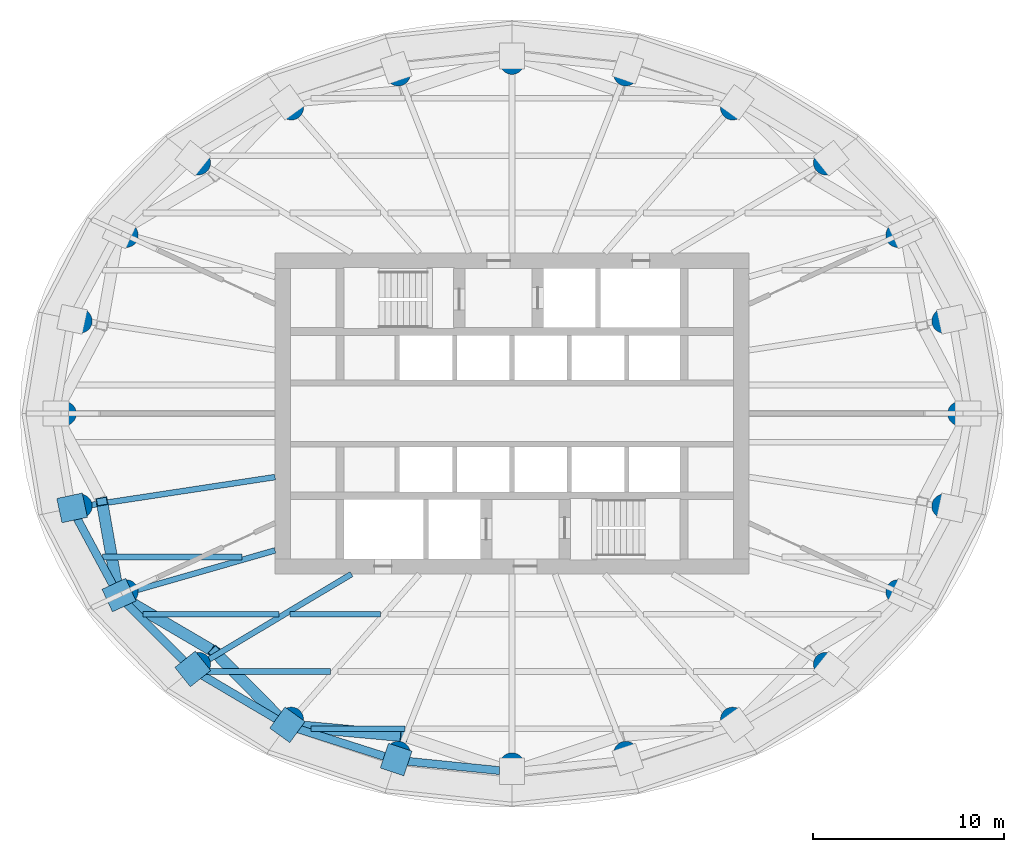
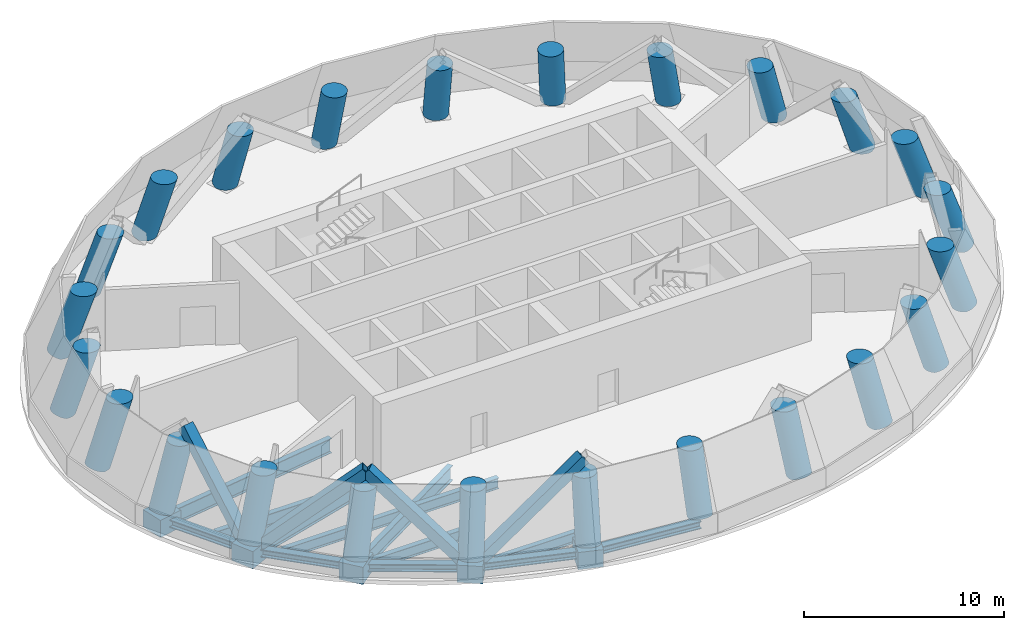
# One storey, part 1 of 7: 24 columns, 18 beams, 4 members.
"""IFC4 building model written with IfcOpenShell, lengths in metres."""

from ifc_helpers import new_model, si_unit, direction, frame, origin, origin_2d, place, context, subcontext, project, spatial, rectangle, hollow_rectangle, circle, i_section, extrude, clip, halfspace, material, material_profile, profile_set, type_object, element, save


model = new_model("IFC4")

# Units and contexts
model_context = context("Model", 3, precision=1e-05, world=origin(), true_north=direction((0.0, 1.0)))
body_context = subcontext(model_context, "Body", "Model", "MODEL_VIEW")
ifc_project = project(units=[si_unit("LENGTHUNIT", "METRE"), si_unit("AREAUNIT", "SQUARE_METRE"), si_unit("VOLUMEUNIT", "CUBIC_METRE"), si_unit("PLANEANGLEUNIT", "RADIAN"), si_unit("MASSUNIT", "GRAM", prefix="KILO")], contexts=[model_context])

# Site, building, storey
site_placement = place(None, origin())
site = spatial("IfcSite", under=ifc_project, at=site_placement, CompositionType="ELEMENT")
building_placement = place(site_placement, origin())
building = spatial("IfcBuilding", under=site, at=building_placement, Name="Hankou Lantern Tower", CompositionType="ELEMENT")
storey_placement = place(building_placement, frame((0.0, 0.0, 138.60009765625)))
storey = spatial("IfcBuildingStorey", under=building, at=storey_placement, Name="L36", CompositionType="ELEMENT", Elevation=138.60009765625)

# Columns
ifc_material_1 = material(Name="Concrete C60", Category="concrete")
ifc_material_profile_1 = material_profile(ifc_material_1, circle(Radius=0.64990234375, at=origin_2d()), Name="RC D1300")
ifc_profile_set_1 = profile_set([ifc_material_profile_1], Name="Concrete C60")
column_type = type_object("IfcColumnType", Name="TC3 PERIMETER COLUMN RC D1300", PredefinedType="COLUMN", material=ifc_profile_set_1)
column_1_placement = place(storey_placement, frame((23.89990234375, 0.0, 0.0), z_axis=(-0.325074391147, 0.0, 0.945688447757), x_axis=(0.0, -1.0, 0.0)))
element("IfcColumn", 1, at=column_1_placement, inside=storey, type_object=column_type, Name="Column R01 L36", PredefinedType="COLUMN", context=body_context, shape_type="Clipping", body=[
    clip(clip(extrude(circle(Radius=0.64990234375, at=origin_2d()), origin(), (0.0, 0.0, 1.0), 5.075439453125), halfspace(frame((0.0, 0.0, 0.0), z_axis=(0.0, -0.325074391147, -0.945688447757), x_axis=(0.0, 0.945688447757, -0.325074391147)), False)), halfspace(frame((0.0, 0.0, 3.96533203125), z_axis=(0.0, 0.325074391147, 0.945688447757), x_axis=(0.0, 0.945688447757, -0.325074391147)), False)),
])
column_2_placement = place(storey_placement, frame((23.054931640625, 4.942138671875, 0.0), z_axis=(-0.314151321262, -0.067338783674, 0.946981750385), x_axis=(0.209590519643, -0.977789248292, 0.0)))
element("IfcColumn", 2, at=column_2_placement, inside=storey, type_object=column_type, Name="Column R02 L36", PredefinedType="COLUMN", context=body_context, shape_type="Clipping", body=[
    clip(clip(extrude(circle(Radius=0.64990234375, at=origin_2d()), origin(), (0.0, 0.0, 1.0), 5.068603515625), halfspace(frame((0.0, 0.0, 0.0), z_axis=(0.0, -0.321287354929, -0.946981750385), x_axis=(0.209590519643, 0.925948573855, -0.314151321262)), False)), halfspace(frame((0.0, 0.0, 3.9599609375), z_axis=(0.0, 0.321287354929, 0.946981750385), x_axis=(0.209590519643, 0.925948573855, -0.314151321262)), False)),
])
column_3_placement = place(storey_placement, frame((20.595703125, 9.5126953125, 0.0), z_axis=(-0.281928309143, -0.130206300209, 0.950559176427), x_axis=(0.419285250459, -0.907854547132, 0.0)))
element("IfcColumn", 3, at=column_3_placement, inside=storey, type_object=column_type, Name="Column R03 L36", PredefinedType="COLUMN", context=body_context, shape_type="Clipping", body=[
    clip(clip(extrude(circle(Radius=0.64990234375, at=origin_2d()), origin(), (0.0, 0.0, 1.0), 5.049560546875), halfspace(frame((0.0, 0.0, 0.0), z_axis=(0.0, -0.310543478615, -0.950559176427), x_axis=(0.419285250459, 0.862969470637, -0.281928309143)), False)), halfspace(frame((0.0, 0.0, 3.94482421875), z_axis=(0.0, 0.310543478615, 0.950559176427), x_axis=(0.419285250459, 0.862969470637, -0.281928309143)), False)),
])
column_4_placement = place(storey_placement, frame((16.73388671875, 13.38720703125, 0.0), z_axis=(-0.230455918779, -0.184384174578, 0.955454104426), x_axis=(0.624735208679, -0.78083667885, 0.0)))
element("IfcColumn", 4, at=column_4_placement, inside=storey, type_object=column_type, Name="Column R04 L36", PredefinedType="COLUMN", context=body_context, shape_type="Clipping", body=[
    clip(clip(extrude(circle(Radius=0.64990234375, at=origin_2d()), origin(), (0.0, 0.0, 1.0), 5.023681640625), halfspace(frame((0.0, 0.0, 0.0), z_axis=(0.0, -0.295139720022, -0.955454104426), x_axis=(0.624735208679, 0.746053609694, -0.230455918779)), False)), halfspace(frame((0.0, 0.0, 3.9248046875), z_axis=(0.0, 0.295139720022, 0.955454104426), x_axis=(0.624735208679, 0.746053609694, -0.230455918779)), False)),
])
column_5_placement = place(storey_placement, frame((11.775390625, 16.31640625, 0.0), z_axis=(-0.163197981959, -0.226112977698, 0.960332931853), x_axis=(0.810859333852, -0.58524109622, 0.0)))
element("IfcColumn", 5, at=column_5_placement, inside=storey, type_object=column_type, Name="Column R05 L36", PredefinedType="COLUMN", context=body_context, shape_type="Clipping", body=[
    clip(clip(extrude(circle(Radius=0.64990234375, at=origin_2d()), origin(), (0.0, 0.0, 1.0), 4.998046875), halfspace(frame((0.0, 0.0, 0.0), z_axis=(0.0, -0.278855984334, -0.960332931853), x_axis=(0.810859333852, 0.562026297773, -0.163197981959)), False)), halfspace(frame((0.0, 0.0, 3.90478515625), z_axis=(0.0, 0.278855984334, 0.960332931853), x_axis=(0.810859333852, 0.562026297773, -0.163197981959)), False)),
])
column_6_placement = place(storey_placement, frame((6.073974609375, 18.134521484375, 0.0), z_axis=(-0.084574735018, -0.252449455425, 0.963906835048), x_axis=(0.948203413029, -0.317663796363, 0.0)))
element("IfcColumn", 6, at=column_6_placement, inside=storey, type_object=column_type, Name="Column R06 L36", PredefinedType="COLUMN", context=body_context, shape_type="Clipping", body=[
    clip(clip(extrude(circle(Radius=0.64990234375, at=origin_2d()), origin(), (0.0, 0.0, 1.0), 4.9794921875), halfspace(frame((0.0, 0.0, 0.0), z_axis=(0.0, -0.266239766654, -0.963906835048), x_axis=(0.948203413029, 0.306198304562, -0.084574735018)), False)), halfspace(frame((0.0, 0.0, 3.890380859375), z_axis=(0.0, 0.266239766654, 0.963906835048), x_axis=(0.948203413029, 0.306198304562, -0.084574735018)), False)),
])
column_7_placement = place(storey_placement, frame((0.0, 18.75, 0.0), z_axis=(0.0, -0.261434534254, 0.965221210034), x_axis=(1.0, 0.0, 0.0)))
element("IfcColumn", 7, at=column_7_placement, inside=storey, type_object=column_type, Name="Column R07 L36", PredefinedType="COLUMN", context=body_context, shape_type="Clipping", body=[
    clip(clip(extrude(circle(Radius=0.64990234375, at=origin_2d()), origin(), (0.0, 0.0, 1.0), 4.97265625), halfspace(frame((0.0, 0.0, 0.0), z_axis=(0.0, -0.261434534254, -0.965221210034), x_axis=(1.0, 0.0, 0.0)), False)), halfspace(frame((0.0, 0.0, 3.885009765625), z_axis=(0.0, 0.261434534254, 0.965221210034), x_axis=(1.0, 0.0, 0.0)), False)),
])
column_8_placement = place(storey_placement, frame((-6.073974609375, 18.134521484375, 0.0), z_axis=(0.084574735018, -0.252449455425, 0.963906835048), x_axis=(0.948203413029, 0.317663796363, 0.0)))
element("IfcColumn", 8, at=column_8_placement, inside=storey, type_object=column_type, Name="Column R08 L36", PredefinedType="COLUMN", context=body_context, shape_type="Clipping", body=[
    clip(clip(extrude(circle(Radius=0.64990234375, at=origin_2d()), origin(), (0.0, 0.0, 1.0), 4.9794921875), halfspace(frame((0.0, 0.0, 0.0), z_axis=(0.0, -0.266239766654, -0.963906835048), x_axis=(0.948203413029, -0.306198304562, 0.084574735018)), False)), halfspace(frame((0.0, 0.0, 3.890380859375), z_axis=(0.0, 0.266239766654, 0.963906835048), x_axis=(0.948203413029, -0.306198304562, 0.084574735018)), False)),
])
column_9_placement = place(storey_placement, frame((-11.775390625, 16.31640625, 0.0), z_axis=(0.163197981959, -0.226112977698, 0.960332931853), x_axis=(0.810859333852, 0.58524109622, 0.0)))
element("IfcColumn", 9, at=column_9_placement, inside=storey, type_object=column_type, Name="Column R09 L36", PredefinedType="COLUMN", context=body_context, shape_type="Clipping", body=[
    clip(clip(extrude(circle(Radius=0.64990234375, at=origin_2d()), origin(), (0.0, 0.0, 1.0), 4.998046875), halfspace(frame((0.0, 0.0, 0.0), z_axis=(0.0, -0.278855984334, -0.960332931853), x_axis=(0.810859333852, -0.562026297773, 0.163197981959)), False)), halfspace(frame((0.0, 0.0, 3.90478515625), z_axis=(0.0, 0.278855984334, 0.960332931853), x_axis=(0.810859333852, -0.562026297773, 0.163197981959)), False)),
])
column_10_placement = place(storey_placement, frame((-16.73388671875, 13.38720703125, 0.0), z_axis=(0.230455918779, -0.184384174578, 0.955454104426), x_axis=(0.624735208679, 0.78083667885, 0.0)))
element("IfcColumn", 10, at=column_10_placement, inside=storey, type_object=column_type, Name="Column R10 L36", PredefinedType="COLUMN", context=body_context, shape_type="Clipping", body=[
    clip(clip(extrude(circle(Radius=0.64990234375, at=origin_2d()), origin(), (0.0, 0.0, 1.0), 5.023681640625), halfspace(frame((0.0, 0.0, 0.0), z_axis=(0.0, -0.295139720022, -0.955454104426), x_axis=(0.624735208679, -0.746053609694, 0.230455918779)), False)), halfspace(frame((0.0, 0.0, 3.9248046875), z_axis=(0.0, 0.295139720022, 0.955454104426), x_axis=(0.624735208679, -0.746053609694, 0.230455918779)), False)),
])
column_11_placement = place(storey_placement, frame((-20.595703125, 9.5126953125, 0.0), z_axis=(0.281928309143, -0.130206300209, 0.950559176427), x_axis=(0.419285250459, 0.907854547132, 0.0)))
element("IfcColumn", 11, at=column_11_placement, inside=storey, type_object=column_type, Name="Column R11 L36", PredefinedType="COLUMN", context=body_context, shape_type="Clipping", body=[
    clip(clip(extrude(circle(Radius=0.64990234375, at=origin_2d()), origin(), (0.0, 0.0, 1.0), 5.049560546875), halfspace(frame((0.0, 0.0, 0.0), z_axis=(0.0, -0.310543478615, -0.950559176427), x_axis=(0.419285250459, -0.862969470637, 0.281928309143)), False)), halfspace(frame((0.0, 0.0, 3.94482421875), z_axis=(0.0, 0.310543478615, 0.950559176427), x_axis=(0.419285250459, -0.862969470637, 0.281928309143)), False)),
])
column_12_placement = place(storey_placement, frame((-23.054931640625, 4.942138671875, 0.0), z_axis=(0.314151321262, -0.067338783674, 0.946981750385), x_axis=(0.209590519643, 0.977789248292, 0.0)))
element("IfcColumn", 12, at=column_12_placement, inside=storey, type_object=column_type, Name="Column R12 L36", PredefinedType="COLUMN", context=body_context, shape_type="Clipping", body=[
    clip(clip(extrude(circle(Radius=0.64990234375, at=origin_2d()), origin(), (0.0, 0.0, 1.0), 5.068603515625), halfspace(frame((0.0, 0.0, 0.0), z_axis=(0.0, -0.321287354929, -0.946981750385), x_axis=(0.209590519643, -0.925948573855, 0.314151321262)), False)), halfspace(frame((0.0, 0.0, 3.9599609375), z_axis=(0.0, 0.321287354929, 0.946981750385), x_axis=(0.209590519643, -0.925948573855, 0.314151321262)), False)),
])
column_13_placement = place(storey_placement, frame((-23.89990234375, 0.0, 0.0), z_axis=(0.325074391147, 0.0, 0.945688447757), x_axis=(0.0, 1.0, 0.0)))
element("IfcColumn", 13, at=column_13_placement, inside=storey, type_object=column_type, Name="Column R13 L36", PredefinedType="COLUMN", context=body_context, shape_type="Clipping", body=[
    clip(clip(extrude(circle(Radius=0.64990234375, at=origin_2d()), origin(), (0.0, 0.0, 1.0), 5.075439453125), halfspace(frame((0.0, 0.0, 0.0), z_axis=(0.0, -0.325074391147, -0.945688447757), x_axis=(0.0, -0.945688447757, 0.325074391147)), False)), halfspace(frame((0.0, 0.0, 3.96533203125), z_axis=(0.0, 0.325074391147, 0.945688447757), x_axis=(0.0, -0.945688447757, 0.325074391147)), False)),
])
column_14_placement = place(storey_placement, frame((-23.054931640625, -4.942138671875, 0.0), z_axis=(0.314151321262, 0.067338783674, 0.946981750385), x_axis=(-0.209590519643, 0.977789248292, 0.0)))
element("IfcColumn", 14, at=column_14_placement, inside=storey, type_object=column_type, Name="Column R14 L36", PredefinedType="COLUMN", context=body_context, shape_type="Clipping", body=[
    clip(clip(extrude(circle(Radius=0.64990234375, at=origin_2d()), origin(), (0.0, 0.0, 1.0), 5.068603515625), halfspace(frame((0.0, 0.0, 0.0), z_axis=(0.0, -0.321287354929, -0.946981750385), x_axis=(-0.209590519643, -0.925948573855, 0.314151321262)), False)), halfspace(frame((0.0, 0.0, 3.9599609375), z_axis=(0.0, 0.321287354929, 0.946981750385), x_axis=(-0.209590519643, -0.925948573855, 0.314151321262)), False)),
])
column_15_placement = place(storey_placement, frame((-20.595703125, -9.5126953125, 0.0), z_axis=(0.281928309143, 0.130206300209, 0.950559176427), x_axis=(-0.419285250459, 0.907854547132, 0.0)))
element("IfcColumn", 15, at=column_15_placement, inside=storey, type_object=column_type, Name="Column R15 L36", PredefinedType="COLUMN", context=body_context, shape_type="Clipping", body=[
    clip(clip(extrude(circle(Radius=0.64990234375, at=origin_2d()), origin(), (0.0, 0.0, 1.0), 5.049560546875), halfspace(frame((0.0, 0.0, 0.0), z_axis=(0.0, -0.310543478615, -0.950559176427), x_axis=(-0.419285250459, -0.862969470637, 0.281928309143)), False)), halfspace(frame((0.0, 0.0, 3.94482421875), z_axis=(0.0, 0.310543478615, 0.950559176427), x_axis=(-0.419285250459, -0.862969470637, 0.281928309143)), False)),
])
column_16_placement = place(storey_placement, frame((-16.73388671875, -13.38720703125, 0.0), z_axis=(0.230455918779, 0.184384174578, 0.955454104426), x_axis=(-0.624735208679, 0.78083667885, 0.0)))
element("IfcColumn", 16, at=column_16_placement, inside=storey, type_object=column_type, Name="Column R16 L36", PredefinedType="COLUMN", context=body_context, shape_type="Clipping", body=[
    clip(clip(extrude(circle(Radius=0.64990234375, at=origin_2d()), origin(), (0.0, 0.0, 1.0), 5.023681640625), halfspace(frame((0.0, 0.0, 0.0), z_axis=(0.0, -0.295139720022, -0.955454104426), x_axis=(-0.624735208679, -0.746053609694, 0.230455918779)), False)), halfspace(frame((0.0, 0.0, 3.9248046875), z_axis=(0.0, 0.295139720022, 0.955454104426), x_axis=(-0.624735208679, -0.746053609694, 0.230455918779)), False)),
])
column_17_placement = place(storey_placement, frame((-11.775390625, -16.31640625, 0.0), z_axis=(0.163197981959, 0.226112977698, 0.960332931853), x_axis=(-0.810859333852, 0.58524109622, 0.0)))
element("IfcColumn", 17, at=column_17_placement, inside=storey, type_object=column_type, Name="Column R17 L36", PredefinedType="COLUMN", context=body_context, shape_type="Clipping", body=[
    clip(clip(extrude(circle(Radius=0.64990234375, at=origin_2d()), origin(), (0.0, 0.0, 1.0), 4.998046875), halfspace(frame((0.0, 0.0, 0.0), z_axis=(0.0, -0.278855984334, -0.960332931853), x_axis=(-0.810859333852, -0.562026297773, 0.163197981959)), False)), halfspace(frame((0.0, 0.0, 3.90478515625), z_axis=(0.0, 0.278855984334, 0.960332931853), x_axis=(-0.810859333852, -0.562026297773, 0.163197981959)), False)),
])
column_18_placement = place(storey_placement, frame((-6.073974609375, -18.134521484375, 0.0), z_axis=(0.084574735018, 0.252449455425, 0.963906835048), x_axis=(-0.948203413029, 0.317663796363, 0.0)))
element("IfcColumn", 18, at=column_18_placement, inside=storey, type_object=column_type, Name="Column R18 L36", PredefinedType="COLUMN", context=body_context, shape_type="Clipping", body=[
    clip(clip(extrude(circle(Radius=0.64990234375, at=origin_2d()), origin(), (0.0, 0.0, 1.0), 4.9794921875), halfspace(frame((0.0, 0.0, 0.0), z_axis=(0.0, -0.266239766654, -0.963906835048), x_axis=(-0.948203413029, -0.306198304562, 0.084574735018)), False)), halfspace(frame((0.0, 0.0, 3.890380859375), z_axis=(0.0, 0.266239766654, 0.963906835048), x_axis=(-0.948203413029, -0.306198304562, 0.084574735018)), False)),
])
column_19_placement = place(storey_placement, frame((0.0, -18.75, 0.0), z_axis=(0.0, 0.261434534254, 0.965221210034), x_axis=(-1.0, 0.0, 0.0)))
element("IfcColumn", 19, at=column_19_placement, inside=storey, type_object=column_type, Name="Column R19 L36", PredefinedType="COLUMN", context=body_context, shape_type="Clipping", body=[
    clip(clip(extrude(circle(Radius=0.64990234375, at=origin_2d()), origin(), (0.0, 0.0, 1.0), 4.97265625), halfspace(frame((0.0, 0.0, 0.0), z_axis=(0.0, -0.261434534254, -0.965221210034), x_axis=(-1.0, 0.0, 0.0)), False)), halfspace(frame((0.0, 0.0, 3.885009765625), z_axis=(0.0, 0.261434534254, 0.965221210034), x_axis=(-1.0, 0.0, 0.0)), False)),
])
column_20_placement = place(storey_placement, frame((6.073974609375, -18.134521484375, 0.0), z_axis=(-0.084574735018, 0.252449455425, 0.963906835048), x_axis=(-0.948203413029, -0.317663796363, 0.0)))
element("IfcColumn", 20, at=column_20_placement, inside=storey, type_object=column_type, Name="Column R20 L36", PredefinedType="COLUMN", context=body_context, shape_type="Clipping", body=[
    clip(clip(extrude(circle(Radius=0.64990234375, at=origin_2d()), origin(), (0.0, 0.0, 1.0), 4.9794921875), halfspace(frame((0.0, 0.0, 0.0), z_axis=(0.0, -0.266239766654, -0.963906835048), x_axis=(-0.948203413029, 0.306198304562, -0.084574735018)), False)), halfspace(frame((0.0, 0.0, 3.890380859375), z_axis=(0.0, 0.266239766654, 0.963906835048), x_axis=(-0.948203413029, 0.306198304562, -0.084574735018)), False)),
])
column_21_placement = place(storey_placement, frame((11.775390625, -16.31640625, 0.0), z_axis=(-0.163197981959, 0.226112977698, 0.960332931853), x_axis=(-0.810859333852, -0.58524109622, 0.0)))
element("IfcColumn", 21, at=column_21_placement, inside=storey, type_object=column_type, Name="Column R21 L36", PredefinedType="COLUMN", context=body_context, shape_type="Clipping", body=[
    clip(clip(extrude(circle(Radius=0.64990234375, at=origin_2d()), origin(), (0.0, 0.0, 1.0), 4.998046875), halfspace(frame((0.0, 0.0, 0.0), z_axis=(0.0, -0.278855984334, -0.960332931853), x_axis=(-0.810859333852, 0.562026297773, -0.163197981959)), False)), halfspace(frame((0.0, 0.0, 3.90478515625), z_axis=(0.0, 0.278855984334, 0.960332931853), x_axis=(-0.810859333852, 0.562026297773, -0.163197981959)), False)),
])
column_22_placement = place(storey_placement, frame((16.73388671875, -13.38720703125, 0.0), z_axis=(-0.230455918779, 0.184384174578, 0.955454104426), x_axis=(-0.624735208679, -0.78083667885, 0.0)))
element("IfcColumn", 22, at=column_22_placement, inside=storey, type_object=column_type, Name="Column R22 L36", PredefinedType="COLUMN", context=body_context, shape_type="Clipping", body=[
    clip(clip(extrude(circle(Radius=0.64990234375, at=origin_2d()), origin(), (0.0, 0.0, 1.0), 5.023681640625), halfspace(frame((0.0, 0.0, 0.0), z_axis=(0.0, -0.295139720022, -0.955454104426), x_axis=(-0.624735208679, 0.746053609694, -0.230455918779)), False)), halfspace(frame((0.0, 0.0, 3.9248046875), z_axis=(0.0, 0.295139720022, 0.955454104426), x_axis=(-0.624735208679, 0.746053609694, -0.230455918779)), False)),
])
column_23_placement = place(storey_placement, frame((20.595703125, -9.5126953125, 0.0), z_axis=(-0.281928309143, 0.130206300209, 0.950559176427), x_axis=(-0.419285250459, -0.907854547132, 0.0)))
element("IfcColumn", 23, at=column_23_placement, inside=storey, type_object=column_type, Name="Column R23 L36", PredefinedType="COLUMN", context=body_context, shape_type="Clipping", body=[
    clip(clip(extrude(circle(Radius=0.64990234375, at=origin_2d()), origin(), (0.0, 0.0, 1.0), 5.049560546875), halfspace(frame((0.0, 0.0, 0.0), z_axis=(0.0, -0.310543478615, -0.950559176427), x_axis=(-0.419285250459, 0.862969470637, -0.281928309143)), False)), halfspace(frame((0.0, 0.0, 3.94482421875), z_axis=(0.0, 0.310543478615, 0.950559176427), x_axis=(-0.419285250459, 0.862969470637, -0.281928309143)), False)),
])
column_24_placement = place(storey_placement, frame((23.054931640625, -4.942138671875, 0.0), z_axis=(-0.314151321262, 0.067338783674, 0.946981750385), x_axis=(-0.209590519643, -0.977789248292, 0.0)))
element("IfcColumn", 24, at=column_24_placement, inside=storey, type_object=column_type, Name="Column R24 L36", PredefinedType="COLUMN", context=body_context, shape_type="Clipping", body=[
    clip(clip(extrude(circle(Radius=0.64990234375, at=origin_2d()), origin(), (0.0, 0.0, 1.0), 5.068603515625), halfspace(frame((0.0, 0.0, 0.0), z_axis=(0.0, -0.321287354929, -0.946981750385), x_axis=(-0.209590519643, 0.925948573855, -0.314151321262)), False)), halfspace(frame((0.0, 0.0, 3.9599609375), z_axis=(0.0, 0.321287354929, 0.946981750385), x_axis=(-0.209590519643, 0.925948573855, -0.314151321262)), False)),
])

# Members
ifc_material_2 = material(Name="Steel Q390GJ", Category="steel")
ifc_material_profile_2 = material_profile(ifc_material_2, hollow_rectangle(XDim=0.60009765625, YDim=0.60009765625, WallThickness=0.0400390625, at=origin_2d()), Name="BOX600x600x40")
ifc_profile_set_2 = profile_set([ifc_material_profile_2], Name="Steel Q390GJ")
member_type = type_object("IfcMemberType", Name="BD1 BELT TRUSS DIAGONAL BOX600x600x40", PredefinedType="BRACE", material=ifc_profile_set_2)
member_1_placement = place(storey_placement, frame((-20.595703125, -9.5126953125, -0.464111328125), z_axis=(-0.124362724822, 0.7046053677, 0.698616624826), x_axis=(-0.984778630802, -0.17381325702, 0.0)))
element("IfcMember", 25, at=member_1_placement, inside=storey, type_object=member_type, Name="Belt truss diagonal bay R14 L36", PredefinedType="BRACE", context=body_context, shape_type="SweptSolid", body=[
    extrude(hollow_rectangle(XDim=0.60009765625, YDim=0.60009765625, WallThickness=0.0400390625, at=origin_2d()), origin(), (0.0, 0.0, 1.0), 6.97119140625),
])
member_2_placement = place(storey_placement, frame((-20.595703125, -9.5126953125, -0.464111328125), z_axis=(0.661347631005, -0.388445233075, 0.6416616023), x_axis=(0.506455512251, 0.862266092405, 0.0)))
element("IfcMember", 26, at=member_2_placement, inside=storey, type_object=member_type, Name="Belt truss diagonal bay R15 L36", PredefinedType="BRACE", context=body_context, shape_type="SweptSolid", body=[
    extrude(hollow_rectangle(XDim=0.60009765625, YDim=0.60009765625, WallThickness=0.0400390625, at=origin_2d()), origin(), (0.0, 0.0, 1.0), 7.58984375),
])
member_3_placement = place(storey_placement, frame((-11.775390625, -16.31640625, -0.464111328125), z_axis=(-0.52193655794, 0.529446436471, 0.668781504225), x_axis=(-0.71213937732, -0.702038109557, 0.0)))
element("IfcMember", 27, at=member_3_placement, inside=storey, type_object=member_type, Name="Belt truss diagonal bay R16 L36", PredefinedType="BRACE", context=body_context, shape_type="SweptSolid", body=[
    extrude(hollow_rectangle(XDim=0.60009765625, YDim=0.60009765625, WallThickness=0.0400390625, at=origin_2d()), origin(), (0.0, 0.0, 1.0), 7.281982421875),
])
member_4_placement = place(storey_placement, frame((-11.775390625, -16.31640625, -0.464111328125), z_axis=(0.780602595424, -0.071529817541, 0.620921148956), x_axis=(0.091251790565, 0.99582785195, 0.0)))
element("IfcMember", 28, at=member_4_placement, inside=storey, type_object=member_type, Name="Belt truss diagonal bay R17 L36", PredefinedType="BRACE", context=body_context, shape_type="SweptSolid", body=[
    extrude(hollow_rectangle(XDim=0.60009765625, YDim=0.60009765625, WallThickness=0.0400390625, at=origin_2d()), origin(), (0.0, 0.0, 1.0), 7.84326171875),
])

# Beams
ifc_material_3 = material(Name="Steel Q355B", Category="steel")
ifc_material_profile_3 = material_profile(ifc_material_3, i_section(OverallWidth=0.4169921875, OverallDepth=0.4580078125, WebThickness=0.030029296875, FlangeThickness=0.050048828125, FilletRadius=0.02197265625, at=origin_2d()), Name="HW458x417x30x50")
ifc_profile_set_3 = profile_set([ifc_material_profile_3], Name="Steel Q355B")
beam_type_1 = type_object("IfcBeamType", Name="EB21 RING BEAM HW458x417x30x50", PredefinedType="SPANDREL", material=ifc_profile_set_3)
beam_1_placement = place(storey_placement, frame((-23.054931640625, -4.942138671875, -0.47900390625), z_axis=(0.473824901673, -0.880619079145, 0.0), x_axis=(0.880619079145, 0.473824901673, 0.0)))
element("IfcBeam", 29, at=beam_1_placement, inside=storey, type_object=beam_type_1, Name="Ring beam R14-R15 L36", PredefinedType="SPANDREL", context=body_context, shape_type="SweptSolid", body=[
    extrude(i_section(OverallWidth=0.4169921875, OverallDepth=0.4580078125, WebThickness=0.030029296875, FlangeThickness=0.050048828125, FilletRadius=0.02197265625, at=origin_2d()), origin(), (0.0, 0.0, 1.0), 5.190185546875),
])
beam_2_placement = place(storey_placement, frame((-20.595703125, -9.5126953125, -0.47900390625), z_axis=(0.705945468625, -0.708266189599, 0.0), x_axis=(0.708266189599, 0.705945468625, 0.0)))
element("IfcBeam", 30, at=beam_2_placement, inside=storey, type_object=beam_type_1, Name="Ring beam R15-R16 L36", PredefinedType="SPANDREL", context=body_context, shape_type="SweptSolid", body=[
    extrude(i_section(OverallWidth=0.4169921875, OverallDepth=0.4580078125, WebThickness=0.030029296875, FlangeThickness=0.050048828125, FilletRadius=0.02197265625, at=origin_2d()), origin(), (0.0, 0.0, 1.0), 5.470458984375),
])
beam_3_placement = place(storey_placement, frame((-16.73388671875, -13.38720703125, -0.47900390625), z_axis=(0.860988974188, -0.508623619513, 0.0), x_axis=(0.508623619513, 0.860988974188, 0.0)))
element("IfcBeam", 31, at=beam_3_placement, inside=storey, type_object=beam_type_1, Name="Ring beam R16-R17 L36", PredefinedType="SPANDREL", context=body_context, shape_type="SweptSolid", body=[
    extrude(i_section(OverallWidth=0.4169921875, OverallDepth=0.4580078125, WebThickness=0.030029296875, FlangeThickness=0.050048828125, FilletRadius=0.02197265625, at=origin_2d()), origin(), (0.0, 0.0, 1.0), 5.759033203125),
])
beam_4_placement = place(storey_placement, frame((-11.775390625, -16.31640625, -0.47900390625), z_axis=(0.952731090451, -0.303814860215, 0.0), x_axis=(0.303814860215, 0.952731090451, 0.0)))
element("IfcBeam", 32, at=beam_4_placement, inside=storey, type_object=beam_type_1, Name="Ring beam R17-R18 L36", PredefinedType="SPANDREL", context=body_context, shape_type="SweptSolid", body=[
    extrude(i_section(OverallWidth=0.4169921875, OverallDepth=0.4580078125, WebThickness=0.030029296875, FlangeThickness=0.050048828125, FilletRadius=0.02197265625, at=origin_2d()), origin(), (0.0, 0.0, 1.0), 5.984375),
])
beam_5_placement = place(storey_placement, frame((-6.073974609375, -18.134521484375, -0.47900390625), z_axis=(0.994905271594, -0.100814188259, 0.0), x_axis=(0.100814188259, 0.994905271594, 0.0)))
element("IfcBeam", 33, at=beam_5_placement, inside=storey, type_object=beam_type_1, Name="Ring beam R18-R19 L36", PredefinedType="SPANDREL", context=body_context, shape_type="SweptSolid", body=[
    extrude(i_section(OverallWidth=0.4169921875, OverallDepth=0.4580078125, WebThickness=0.030029296875, FlangeThickness=0.050048828125, FilletRadius=0.02197265625, at=origin_2d()), origin(), (0.0, 0.0, 1.0), 6.10498046875),
])
ifc_material_4 = material(Name="Steel Q355B", Category="steel")
ifc_material_profile_4 = material_profile(ifc_material_4, i_section(OverallWidth=0.300048828125, OverallDepth=0.89990234375, WebThickness=0.01611328125, FlangeThickness=0.028076171875, FilletRadius=0.01806640625, at=origin_2d()), Name="HN900x300x16x28")
ifc_profile_set_4 = profile_set([ifc_material_profile_4], Name="Steel Q355B")
beam_type_2 = type_object("IfcBeamType", Name="RB13 RADIAL BEAM HN900x300x16x28", PredefinedType="BEAM", material=ifc_profile_set_4)
beam_6_placement = place(storey_placement, frame((-12.39990234375, -3.322509765625, -0.7001953125), z_axis=(-0.988643506875, -0.150279793429, 0.0), x_axis=(0.150279793429, -0.988643506875, 0.0)))
element("IfcBeam", 34, at=beam_6_placement, inside=storey, type_object=beam_type_2, Name="Radial beam R14 L36", PredefinedType="BEAM", context=body_context, shape_type="SweptSolid", body=[
    extrude(i_section(OverallWidth=0.300048828125, OverallDepth=0.89990234375, WebThickness=0.01611328125, FlangeThickness=0.028076171875, FilletRadius=0.01806640625, at=origin_2d()), origin(), (0.0, 0.0, 1.0), 10.77734375),
])
beam_7_placement = place(storey_placement, frame((-12.39990234375, -7.1591796875, -0.7001953125), z_axis=(-0.961155741911, -0.276006593745, 0.0), x_axis=(0.276006593745, -0.961155741911, 0.0)))
element("IfcBeam", 35, at=beam_7_placement, inside=storey, type_object=beam_type_2, Name="Radial beam R15 L36", PredefinedType="BEAM", context=body_context, shape_type="SweptSolid", body=[
    extrude(i_section(OverallWidth=0.300048828125, OverallDepth=0.89990234375, WebThickness=0.01611328125, FlangeThickness=0.028076171875, FilletRadius=0.01806640625, at=origin_2d()), origin(), (0.0, 0.0, 1.0), 8.527099609375),
])
beam_8_placement = place(storey_placement, frame((-8.39990234375, -8.39990234375, -0.7001953125), z_axis=(-0.858086776551, -0.513504706802, 0.0), x_axis=(0.513504706802, -0.858086776551, 0.0)))
element("IfcBeam", 36, at=beam_8_placement, inside=storey, type_object=beam_type_2, Name="Radial beam R16 L36", PredefinedType="BEAM", context=body_context, shape_type="SweptSolid", body=[
    extrude(i_section(OverallWidth=0.300048828125, OverallDepth=0.89990234375, WebThickness=0.01611328125, FlangeThickness=0.028076171875, FilletRadius=0.01806640625, at=origin_2d()), origin(), (0.0, 0.0, 1.0), 9.71240234375),
])
ifc_material_5 = material(Name="Steel Q355B", Category="steel")
ifc_material_profile_5 = material_profile(ifc_material_5, i_section(OverallWidth=0.300048828125, OverallDepth=0.75, WebThickness=0.012939453125, FlangeThickness=0.02392578125, FilletRadius=0.01806640625, at=origin_2d()), Name="HN750x300x13x24")
ifc_profile_set_5 = profile_set([ifc_material_profile_5], Name="Steel Q355B")
beam_type_3 = type_object("IfcBeamType", Name="SB10 SECONDARY BEAM HN750x300x13x24", PredefinedType="JOIST", material=ifc_profile_set_5)
beam_9_placement = place(storey_placement, frame((-21.44189453125, -7.5, -0.625), z_axis=(1.0, 0.0, 0.0), x_axis=(0.0, 1.0, 0.0)))
element("IfcBeam", 37, at=beam_9_placement, inside=storey, type_object=beam_type_3, Name="Floor joist J019 L36", PredefinedType="JOIST", context=body_context, shape_type="SweptSolid", body=[
    extrude(i_section(OverallWidth=0.300048828125, OverallDepth=0.75, WebThickness=0.012939453125, FlangeThickness=0.02392578125, FilletRadius=0.01806640625, at=origin_2d()), origin(), (0.0, 0.0, 1.0), 7.3115234375),
])
ifc_material_6 = material(Name="Steel Q355B", Category="steel")
ifc_material_profile_6 = material_profile(ifc_material_6, i_section(OverallWidth=0.300048828125, OverallDepth=0.64990234375, WebThickness=0.010986328125, FlangeThickness=0.01708984375, FilletRadius=0.01806640625, at=origin_2d()), Name="HN650x300x11x17")
ifc_profile_set_6 = profile_set([ifc_material_profile_6], Name="Steel Q355B")
beam_type_4 = type_object("IfcBeamType", Name="SB8 SECONDARY BEAM HN650x300x11x17", PredefinedType="JOIST", material=ifc_profile_set_6)
beam_10_placement = place(storey_placement, frame((-10.512939453125, -16.5, -0.5751953125), z_axis=(1.0, 0.0, 0.0), x_axis=(0.0, 1.0, 0.0)))
element("IfcBeam", 38, at=beam_10_placement, inside=storey, type_object=beam_type_4, Name="Floor joist J001 L36", PredefinedType="JOIST", context=body_context, shape_type="SweptSolid", body=[
    extrude(i_section(OverallWidth=0.300048828125, OverallDepth=0.64990234375, WebThickness=0.010986328125, FlangeThickness=0.01708984375, FilletRadius=0.01806640625, at=origin_2d()), origin(), (0.0, 0.0, 1.0), 4.919677734375),
])
beam_11_placement = place(storey_placement, frame((-16.133056640625, -13.5, -0.5751953125), z_axis=(1.0, 0.0, 0.0), x_axis=(0.0, 1.0, 0.0)))
element("IfcBeam", 39, at=beam_11_placement, inside=storey, type_object=beam_type_4, Name="Floor joist J005 L36", PredefinedType="JOIST", context=body_context, shape_type="SweptSolid", body=[
    extrude(i_section(OverallWidth=0.300048828125, OverallDepth=0.64990234375, WebThickness=0.010986328125, FlangeThickness=0.01708984375, FilletRadius=0.01806640625, at=origin_2d()), origin(), (0.0, 0.0, 1.0), 6.622314453125),
])
beam_12_placement = place(storey_placement, frame((-19.317138671875, -10.5, -0.5751953125), z_axis=(1.0, 0.0, 0.0), x_axis=(0.0, 1.0, 0.0)))
element("IfcBeam", 40, at=beam_12_placement, inside=storey, type_object=beam_type_4, Name="Floor joist J011 L36", PredefinedType="JOIST", context=body_context, shape_type="SweptSolid", body=[
    extrude(i_section(OverallWidth=0.300048828125, OverallDepth=0.64990234375, WebThickness=0.010986328125, FlangeThickness=0.01708984375, FilletRadius=0.01806640625, at=origin_2d()), origin(), (0.0, 0.0, 1.0), 7.11572265625),
])
beam_13_placement = place(storey_placement, frame((-11.6171875, -10.5, -0.5751953125), z_axis=(1.0, 0.0, 0.0), x_axis=(0.0, 1.0, 0.0)))
element("IfcBeam", 41, at=beam_13_placement, inside=storey, type_object=beam_type_4, Name="Floor joist J012 L36", PredefinedType="JOIST", context=body_context, shape_type="SweptSolid", body=[
    extrude(i_section(OverallWidth=0.300048828125, OverallDepth=0.64990234375, WebThickness=0.010986328125, FlangeThickness=0.01708984375, FilletRadius=0.01806640625, at=origin_2d()), origin(), (0.0, 0.0, 1.0), 4.73095703125),
])
ifc_material_7 = material(Name="Concrete C60", Category="concrete")
ifc_material_profile_7 = material_profile(ifc_material_7, rectangle(XDim=1.300048828125, YDim=1.050048828125, at=origin_2d()), Name="RC 1300x1050")
ifc_profile_set_7 = profile_set([ifc_material_profile_7], Name="Concrete C60")
beam_type_5 = type_object("IfcBeamType", Name="TN2 TRANSFER NODE RC 1300x1050", PredefinedType="BEAM", material=ifc_profile_set_7)
for number, where, z_axis, x_axis, name in (
    (42, (-23.6904296875, -5.078369140625, -0.525146484375), (0.977784088911, 0.209614587928, 0.0), (-0.209614587928, 0.977784088911, 0.0), "Transfer node R14 L36"),
    (43, (-21.185791015625, -9.785400390625, -0.525146484375), (0.907807526406, 0.419387046773, 0.0), (-0.419387046773, 0.907807526406, 0.0), "Transfer node R15 L36"),
    (44, (-17.241455078125, -13.793212890625, -0.525146484375), (0.780851360531, 0.62471685807, 0.0), (-0.62471685807, 0.780851360531, 0.0), "Transfer node R16 L36"),
    (45, (-12.15576171875, -16.843505859375, -0.525146484375), (0.585190136346, 0.810896111918, 0.0), (-0.810896111918, 0.585190136346, 0.0), "Transfer node R17 L36"),
    (46, (-6.2802734375, -18.750732421875, -0.525146484375), (0.317676258539, 0.948199237903, 0.0), (-0.948199237903, 0.317676258539, 0.0), "Transfer node R18 L36"),
):
    element("IfcBeam", number, at=place(storey_placement, frame(where, z_axis=z_axis, x_axis=x_axis)), inside=storey, type_object=beam_type_5, Name=name, PredefinedType="BEAM", context=body_context, shape_type="SweptSolid", body=[
        extrude(rectangle(XDim=1.300048828125, YDim=1.050048828125, at=origin_2d()), origin(), (0.0, 0.0, 1.0), 1.364990234375),
    ])

save(model, "model.ifc")
